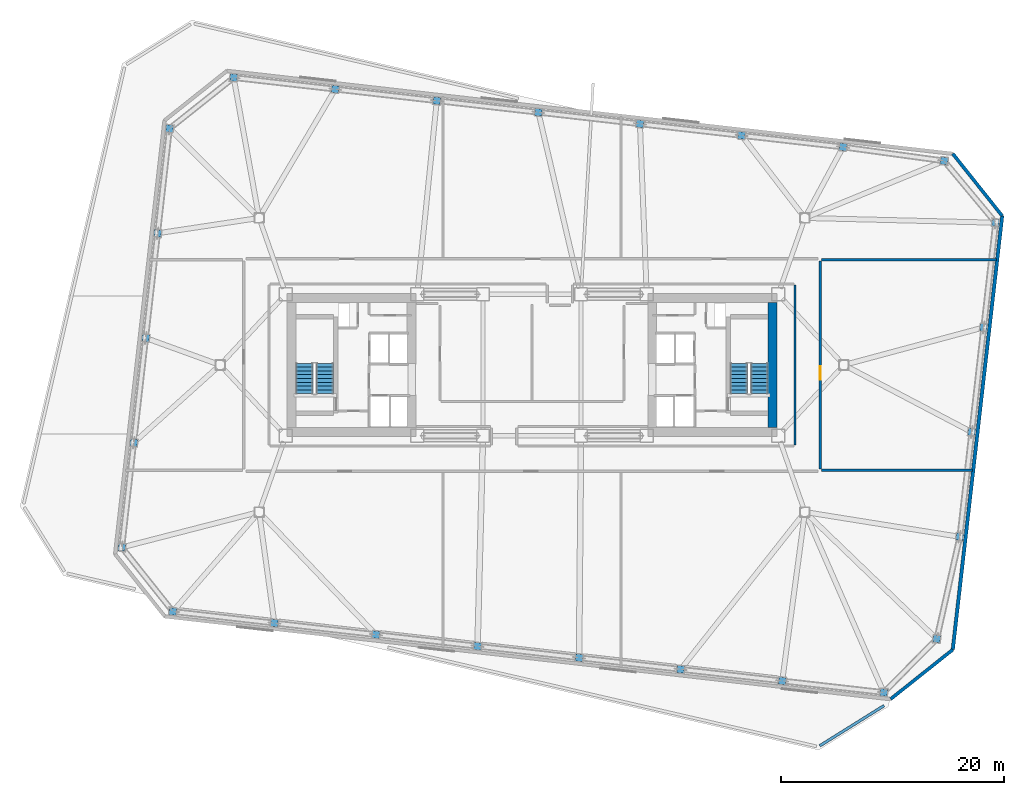
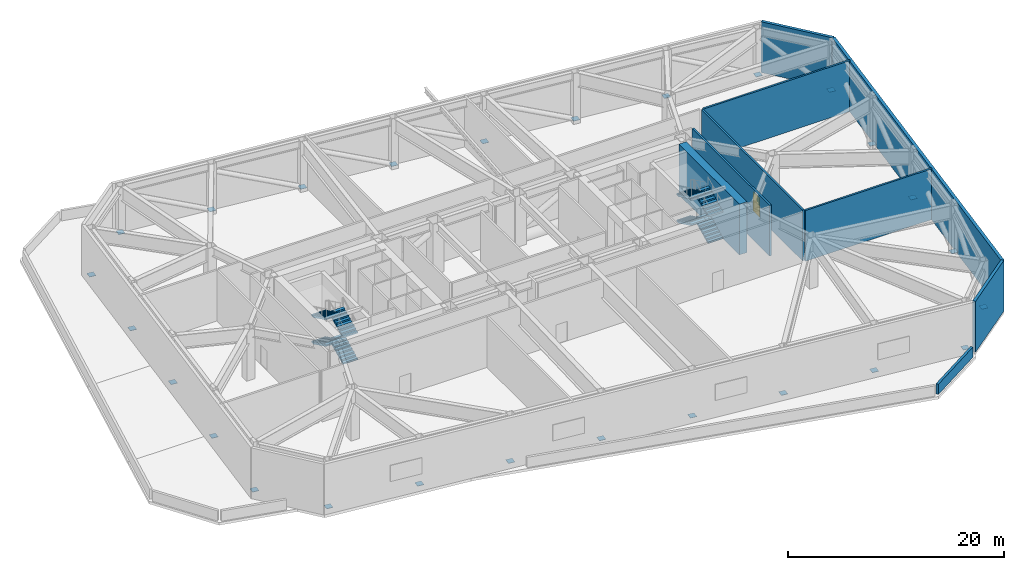
# One storey, part 7 of 14: 26 discrete accessories, 9 walls, 8 stair flights, 1 door, 1 opening, 2 elements without a shape of their own.
"""IFC4 building model written with IfcOpenShell, lengths in metres."""

from ifc_helpers import new_model, si_unit, direction, frame, frame_2d, origin, origin_2d, place, context, subcontext, project, spatial, polyline, rectangle, outline, extrude, material, layer, layer_set, type_object, element, fill, aggregate, save


model = new_model("IFC4")

# Units and contexts
model_context = context("Model", 3, precision=1e-05, world=origin(), true_north=direction((0.0, 1.0)))
body_context = subcontext(model_context, "Body", "Model", "MODEL_VIEW")
ifc_project = project(units=[si_unit("LENGTHUNIT", "METRE"), si_unit("AREAUNIT", "SQUARE_METRE"), si_unit("VOLUMEUNIT", "CUBIC_METRE"), si_unit("PLANEANGLEUNIT", "RADIAN"), si_unit("MASSUNIT", "GRAM", prefix="KILO")], contexts=[model_context])

# Site, building, storey
site_placement = place(None, origin())
site = spatial("IfcSite", under=ifc_project, at=site_placement, CompositionType="ELEMENT")
building_placement = place(site_placement, origin())
building = spatial("IfcBuilding", under=site, at=building_placement, Name="Tavrogorsk Clinical Tower", CompositionType="ELEMENT")
storey_placement = place(building_placement, frame((0.0, 0.0, 83.39990234375)))
storey = spatial("IfcBuildingStorey", under=building, at=storey_placement, Name="L18", CompositionType="ELEMENT", Elevation=83.39990234375)

# Wall, opening, door
ifc_material_1 = material(Name="Concrete B60", Category="concrete")
ifc_layer_1 = layer(ifc_material_1, 0.199951171875)
ifc_layer_set_1 = layer_set([ifc_layer_1], Name="Concrete B60")
wall_type_1 = type_object("IfcWallType", Name="CoreFireWall_200", PredefinedType="SOLIDWALL", material=ifc_layer_set_1)
wall_1_placement = place(storey_placement, frame((25.8798828125, 9.344970703125, 0.0), z_axis=(0.0, 0.0, 1.0), x_axis=(0.0, -1.0, 0.0)))
wall_1 = element("IfcWall", 1, at=wall_1_placement, inside=storey, type_object=wall_type_1, Name="L18 Refuge Corridor Fire Wall 03", PredefinedType="SOLIDWALL", context=body_context, shape_type="SweptSolid", body=[
    extrude(rectangle(XDim=18.68994140625, YDim=0.199951171875, at=frame_2d((9.344970703125, 0.0))), origin(), (0.0, 0.0, 1.0), 5.739990234375),
])
opening_placement = place(wall_1_placement, frame((9.449951171875, 0.0, 0.0)))
opening = element("IfcOpeningElement", 2, at=opening_placement, cuts=wall_1, Name="Opening FD-01", PredefinedType="OPENING", context=body_context, shape_type="SweptSolid", body=[
    extrude(rectangle(XDim=1.199951171875, YDim=2.199951171875, at=frame_2d((0.60009765625, 1.10009765625))), frame((0.0, 0.10986328125, 0.0), z_axis=(0.0, -1.0, 0.0), x_axis=(1.0, 0.0, 0.0)), (0.0, 0.0, 1.0), 0.219970703125),
])
ifc_material_2 = material(Name="Galvanised steel fire-rated door assembly", Category="steel")
door_type = type_object("IfcDoorType", Name="FireDoor_FD01_1200", OperationType="NOTDEFINED", PredefinedType="DOOR", material=ifc_material_2)
door_placement = place(opening_placement, origin())
door = element("IfcDoor", 3, at=door_placement, inside=storey, type_object=door_type, Name="L18 Smoke Extract & Damper Plenum East Fire Door", OperationType="SINGLE_SWING_RIGHT", OverallHeight=2.199951171875, OverallWidth=1.199951171875, PredefinedType="DOOR", context=body_context, shape_type="SweptSolid", body=[
    extrude(rectangle(XDim=1.199951171875, YDim=2.199951171875, at=frame_2d((0.60009765625, 1.10009765625))), frame((0.0, 0.02490234375, 0.0), z_axis=(0.0, -1.0, 0.0), x_axis=(1.0, 0.0, 0.0)), (0.0, 0.0, 1.0), 0.050048828125),
])
fill(opening, door)

# Walls
wall_2_placement = place(storey_placement, frame((23.6201171875, -7.1650390625, 0.0), z_axis=(0.0, 0.0, 1.0), x_axis=(0.0, 1.0, 0.0)))
element("IfcWall", 4, at=wall_2_placement, inside=storey, type_object=wall_type_1, Name="L18 Refuge Corridor Fire Wall 15", PredefinedType="SOLIDWALL", context=body_context, shape_type="SweptSolid", body=[
    extrude(rectangle(XDim=14.330078125, YDim=0.199951171875, at=frame_2d((7.1650390625, 0.0))), origin(), (0.0, 0.0, 1.0), 5.739990234375),
])
wall_3_placement = place(storey_placement, frame((25.985107421875, -9.449951171875, 0.0), z_axis=(0.0, 0.0, 1.0), x_axis=(1.0, 0.0, 0.0)))
element("IfcWall", 5, at=wall_3_placement, inside=storey, type_object=wall_type_1, Name="L18 Refuge & Plant Fire Wall 2", PredefinedType="SOLIDWALL", context=body_context, shape_type="SweptSolid", body=[
    extrude(rectangle(XDim=13.567626953125, YDim=0.199951171875, at=frame_2d((6.78369140625, 0.0))), origin(), (0.0, 0.0, 1.0), 5.739990234375),
])
wall_4_placement = place(storey_placement, frame((25.985107421875, 9.449951171875, 0.0), z_axis=(0.0, 0.0, 1.0), x_axis=(1.0, 0.0, 0.0)))
element("IfcWall", 6, at=wall_4_placement, inside=storey, type_object=wall_type_1, Name="L18 Refuge & Plant Fire Wall 4", PredefinedType="SOLIDWALL", context=body_context, shape_type="SweptSolid", body=[
    extrude(rectangle(XDim=15.72119140625, YDim=0.199951171875, at=frame_2d((7.860595703125, 0.0))), origin(), (0.0, 0.0, 1.0), 5.739990234375),
])
ifc_material_3 = material(Name="Precast concrete B45 acoustic plenum wall", Category="concrete")
ifc_layer_2 = layer(ifc_material_3, 0.320068359375)
ifc_layer_set_2 = layer_set([ifc_layer_2], Name="Precast concrete B45 acoustic plenum wall")
wall_type_2 = type_object("IfcWallType", Name="PlantLouvreWall_320", PredefinedType="STANDARD", material=ifc_layer_set_2)
wall_5_placement = place(storey_placement, frame((37.778076171875, -25.5576171875, 0.0), z_axis=(0.0, 0.0, 1.0), x_axis=(0.113201605824, 0.993572038877, 0.0)))
element("IfcWall", 7, at=wall_5_placement, inside=storey, type_object=wall_type_2, Name="L18 E Pleated Limestone Wing Wall", PredefinedType="STANDARD", context=body_context, shape_type="SweptSolid", body=[
    extrude(rectangle(XDim=39.199951171875, YDim=0.320068359375, at=frame_2d((19.60009765625, 0.0))), origin(), (0.0, 0.0, 1.0), 5.739990234375),
])
ifc_material_4 = material(Name="Concrete B60", Category="concrete")
ifc_layer_3 = layer(ifc_material_4, 0.25)
ifc_layer_set_3 = layer_set([ifc_layer_3], Name="Concrete B60")
wall_type_3 = type_object("IfcWallType", Name="RoofParapetWall_250", PredefinedType="PARAPET", material=ifc_layer_set_3)
wall_6_placement = place(storey_placement, frame((31.603515625, -30.583984375, 0.0), z_axis=(0.0, 0.0, 1.0), x_axis=(-0.848054758425, -0.529908602226, 0.0)))
element("IfcWall", 8, at=wall_6_placement, inside=storey, type_object=wall_type_3, Name="L18 Setback Coping Parapet 5", PredefinedType="PARAPET", context=body_context, shape_type="SweptSolid", body=[
    extrude(rectangle(XDim=6.802001953125, YDim=0.25, at=frame_2d((3.40087890625, 0.0))), origin(), (0.0, 0.0, 1.0), 1.150146484375),
])
ifc_material_5 = material(Name="Concrete B80", Category="concrete")
ifc_layer_4 = layer(ifc_material_5, 0.800048828125)
ifc_layer_set_4 = layer_set([ifc_layer_4], Name="Concrete B80")
wall_type_4 = type_object("IfcWallType", Name="ShearWall_800", PredefinedType="SHEAR", material=ifc_layer_set_4)
wall_7_placement = place(storey_placement, frame((21.60009765625, -5.60009765625, 0.0), z_axis=(0.0, 0.0, 1.0), x_axis=(0.0, 1.0, 0.0)))
element("IfcWall", 9, at=wall_7_placement, inside=storey, type_object=wall_type_4, Name="L18 Core East End Shear Wall", PredefinedType="SHEAR", context=body_context, shape_type="SweptSolid", body=[
    extrude(rectangle(XDim=11.2001953125, YDim=0.800048828125, at=frame_2d((5.60009765625, 0.0))), origin(), (0.0, 0.0, 1.0), 5.739990234375),
])
ifc_material_6 = material(Name="Precast concrete B45 with mineral wool", Category="concrete")
ifc_layer_5 = layer(ifc_material_6, 0.300048828125)
ifc_layer_set_5 = layer_set([ifc_layer_5], Name="Precast concrete B45 with mineral wool")
wall_type_5 = type_object("IfcWallType", Name="SpandrelBackWall_300", PredefinedType="STANDARD", material=ifc_layer_set_5)
for number, where, z_axis, x_axis, name in (
    (10, (32.199951171875, -29.99462890625, 0.0), (0.0, 0.0, 1.0), (0.782610156412, 0.622512122839, 0.0), "L18 Chamfered Corner Wall 1"),
    (11, (42.215576171875, 13.390380859375, 0.0), (0.0, 0.0, 1.0), (-0.622512122839, 0.782610156412, 0.0), "L18 Chamfered Corner Wall 2"),
):
    element("IfcWall", number, at=place(storey_placement, frame(where, z_axis=z_axis, x_axis=x_axis)), inside=storey, type_object=wall_type_5, Name=name, PredefinedType="STANDARD", context=body_context, shape_type="SweptSolid", body=[
        extrude(rectangle(XDim=7.127685546875, YDim=0.300048828125, at=frame_2d((3.56396484375, 0.0))), origin(), (0.0, 0.0, 1.0), 5.739990234375),
    ])

# Stair, stair flights
ifc_material_7 = material(Name="Concrete B60", Category="concrete")
stair_type = type_object("IfcStairType", Name="CoreStairAssembly", PredefinedType="HALF_TURN_STAIR", material=ifc_material_7)
stair_1_placement = place(storey_placement, origin())
stair_1 = element("IfcStair", 12, at=stair_1_placement, inside=storey, type_object=stair_type, Name="L18 ST-W", PredefinedType="HALF_TURN_STAIR")
ifc_material_8 = material(Name="Concrete B60", Category="concrete")
stair_flight_type = type_object("IfcStairFlightType", Name="CoreStairFlight", PredefinedType="STRAIGHT", material=ifc_material_8)
stair_flight_1_placement = place(storey_placement, frame((-18.574951171875, -2.574951171875, 0.0), z_axis=(0.0, 0.0, 1.0), x_axis=(0.0, 1.0, 0.0)))
stair_flight_1 = element("IfcStairFlight", 13, at=stair_flight_1_placement, type_object=stair_flight_type, Name="ST-W flight 1", NumberOfRisers=9, NumberOfTreads=8, PredefinedType="STRAIGHT", RiserHeight=0.166666667, TreadLength=0.34, context=body_context, shape_type="SweptSolid", body=[
    extrude(outline(polyline([(0.0, 0.0), (0.0, 0.166748046875), (0.340087890625, 0.166748046875), (0.340087890625, 0.333251953125), (0.679931640625, 0.333251953125), (0.679931640625, 0.5), (1.02001953125, 0.5), (1.02001953125, 0.666748046875), (1.360107421875, 0.666748046875), (1.360107421875, 0.833251953125), (1.699951171875, 0.833251953125), (1.699951171875, 1.0), (2.0400390625, 1.0), (2.0400390625, 1.166748046875), (2.3798828125, 1.166748046875), (2.3798828125, 1.333251953125), (2.719970703125, 1.333251953125), (2.719970703125, 1.5), (2.719970703125, 1.16650390625), (0.340576171875, 0.0), (0.0, 0.0)])), frame((0.0, 0.77490234375, 0.0), z_axis=(0.0, -1.0, 0.0), x_axis=(1.0, 0.0, 0.0)), (0.0, 0.0, 1.0), 1.550048828125),
])
stair_flight_2_placement = place(storey_placement, frame((-20.425048828125, 0.14501953125, 1.5), z_axis=(0.0, 0.0, 1.0), x_axis=(0.0, -1.0, 0.0)))
stair_flight_2 = element("IfcStairFlight", 14, at=stair_flight_2_placement, type_object=stair_flight_type, Name="ST-W flight 2", NumberOfRisers=9, NumberOfTreads=8, PredefinedType="STRAIGHT", RiserHeight=0.166666667, TreadLength=0.34, context=body_context, shape_type="SweptSolid", body=[
    extrude(outline(polyline([(0.0, 0.0), (0.0, 0.166748046875), (0.340087890625, 0.166748046875), (0.340087890625, 0.333251953125), (0.679931640625, 0.333251953125), (0.679931640625, 0.5), (1.02001953125, 0.5), (1.02001953125, 0.666748046875), (1.360107421875, 0.666748046875), (1.360107421875, 0.833251953125), (1.699951171875, 0.833251953125), (1.699951171875, 1.0), (2.0400390625, 1.0), (2.0400390625, 1.166748046875), (2.3798828125, 1.166748046875), (2.3798828125, 1.333251953125), (2.719970703125, 1.333251953125), (2.719970703125, 1.5), (2.719970703125, 1.16650390625), (0.340576171875, 0.0), (0.0, 0.0)])), frame((0.0, 0.77490234375, 0.0), z_axis=(0.0, -1.0, 0.0), x_axis=(1.0, 0.0, 0.0)), (0.0, 0.0, 1.0), 1.550048828125),
])
stair_flight_3_placement = place(storey_placement, frame((-18.574951171875, -2.574951171875, 3.0), z_axis=(0.0, 0.0, 1.0), x_axis=(0.0, 1.0, 0.0)))
stair_flight_3 = element("IfcStairFlight", 15, at=stair_flight_3_placement, type_object=stair_flight_type, Name="ST-W flight 3", NumberOfRisers=9, NumberOfTreads=8, PredefinedType="STRAIGHT", RiserHeight=0.166666667, TreadLength=0.34, context=body_context, shape_type="SweptSolid", body=[
    extrude(outline(polyline([(0.0, 0.0), (0.0, 0.166748046875), (0.340087890625, 0.166748046875), (0.340087890625, 0.333251953125), (0.679931640625, 0.333251953125), (0.679931640625, 0.5), (1.02001953125, 0.5), (1.02001953125, 0.666748046875), (1.360107421875, 0.666748046875), (1.360107421875, 0.833251953125), (1.699951171875, 0.833251953125), (1.699951171875, 1.0), (2.0400390625, 1.0), (2.0400390625, 1.166748046875), (2.3798828125, 1.166748046875), (2.3798828125, 1.333251953125), (2.719970703125, 1.333251953125), (2.719970703125, 1.5), (2.719970703125, 1.16650390625), (0.340576171875, 0.0), (0.0, 0.0)])), frame((0.0, 0.77490234375, 0.0), z_axis=(0.0, -1.0, 0.0), x_axis=(1.0, 0.0, 0.0)), (0.0, 0.0, 1.0), 1.550048828125),
])
stair_flight_4_placement = place(storey_placement, frame((-20.425048828125, 0.14501953125, 4.5), z_axis=(0.0, 0.0, 1.0), x_axis=(0.0, -1.0, 0.0)))
stair_flight_4 = element("IfcStairFlight", 16, at=stair_flight_4_placement, type_object=stair_flight_type, Name="ST-W flight 4", NumberOfRisers=9, NumberOfTreads=8, PredefinedType="STRAIGHT", RiserHeight=0.166666667, TreadLength=0.34, context=body_context, shape_type="SweptSolid", body=[
    extrude(outline(polyline([(0.0, 0.0), (0.0, 0.166748046875), (0.340087890625, 0.166748046875), (0.340087890625, 0.333251953125), (0.679931640625, 0.333251953125), (0.679931640625, 0.5), (1.02001953125, 0.5), (1.02001953125, 0.666748046875), (1.360107421875, 0.666748046875), (1.360107421875, 0.833251953125), (1.699951171875, 0.833251953125), (1.699951171875, 1.0), (2.0400390625, 1.0), (2.0400390625, 1.166748046875), (2.3798828125, 1.166748046875), (2.3798828125, 1.333251953125), (2.719970703125, 1.333251953125), (2.719970703125, 1.5), (2.719970703125, 1.16650390625), (0.340576171875, 0.0), (0.0, 0.0)])), frame((0.0, 0.77490234375, 0.0), z_axis=(0.0, -1.0, 0.0), x_axis=(1.0, 0.0, 0.0)), (0.0, 0.0, 1.0), 1.550048828125),
])
aggregate(stair_1, [stair_flight_1, stair_flight_2, stair_flight_3, stair_flight_4])

stair_2_placement = place(storey_placement, origin())
stair_2 = element("IfcStair", 17, at=stair_2_placement, inside=storey, type_object=stair_type, Name="L18 ST-E", PredefinedType="HALF_TURN_STAIR")
stair_flight_5_placement = place(storey_placement, frame((20.425048828125, -2.574951171875, 0.0), z_axis=(0.0, 0.0, 1.0), x_axis=(0.0, 1.0, 0.0)))
stair_flight_5 = element("IfcStairFlight", 18, at=stair_flight_5_placement, type_object=stair_flight_type, Name="ST-E flight 1", NumberOfRisers=9, NumberOfTreads=8, PredefinedType="STRAIGHT", RiserHeight=0.166666667, TreadLength=0.34, context=body_context, shape_type="SweptSolid", body=[
    extrude(outline(polyline([(0.0, 0.0), (0.0, 0.166748046875), (0.340087890625, 0.166748046875), (0.340087890625, 0.333251953125), (0.679931640625, 0.333251953125), (0.679931640625, 0.5), (1.02001953125, 0.5), (1.02001953125, 0.666748046875), (1.360107421875, 0.666748046875), (1.360107421875, 0.833251953125), (1.699951171875, 0.833251953125), (1.699951171875, 1.0), (2.0400390625, 1.0), (2.0400390625, 1.166748046875), (2.3798828125, 1.166748046875), (2.3798828125, 1.333251953125), (2.719970703125, 1.333251953125), (2.719970703125, 1.5), (2.719970703125, 1.16650390625), (0.340576171875, 0.0), (0.0, 0.0)])), frame((0.0, 0.77490234375, 0.0), z_axis=(0.0, -1.0, 0.0), x_axis=(1.0, 0.0, 0.0)), (0.0, 0.0, 1.0), 1.550048828125),
])
stair_flight_6_placement = place(storey_placement, frame((18.574951171875, 0.14501953125, 1.5), z_axis=(0.0, 0.0, 1.0), x_axis=(0.0, -1.0, 0.0)))
stair_flight_6 = element("IfcStairFlight", 19, at=stair_flight_6_placement, type_object=stair_flight_type, Name="ST-E flight 2", NumberOfRisers=9, NumberOfTreads=8, PredefinedType="STRAIGHT", RiserHeight=0.166666667, TreadLength=0.34, context=body_context, shape_type="SweptSolid", body=[
    extrude(outline(polyline([(0.0, 0.0), (0.0, 0.166748046875), (0.340087890625, 0.166748046875), (0.340087890625, 0.333251953125), (0.679931640625, 0.333251953125), (0.679931640625, 0.5), (1.02001953125, 0.5), (1.02001953125, 0.666748046875), (1.360107421875, 0.666748046875), (1.360107421875, 0.833251953125), (1.699951171875, 0.833251953125), (1.699951171875, 1.0), (2.0400390625, 1.0), (2.0400390625, 1.166748046875), (2.3798828125, 1.166748046875), (2.3798828125, 1.333251953125), (2.719970703125, 1.333251953125), (2.719970703125, 1.5), (2.719970703125, 1.16650390625), (0.340576171875, 0.0), (0.0, 0.0)])), frame((0.0, 0.77490234375, 0.0), z_axis=(0.0, -1.0, 0.0), x_axis=(1.0, 0.0, 0.0)), (0.0, 0.0, 1.0), 1.550048828125),
])
stair_flight_7_placement = place(storey_placement, frame((20.425048828125, -2.574951171875, 3.0), z_axis=(0.0, 0.0, 1.0), x_axis=(0.0, 1.0, 0.0)))
stair_flight_7 = element("IfcStairFlight", 20, at=stair_flight_7_placement, type_object=stair_flight_type, Name="ST-E flight 3", NumberOfRisers=9, NumberOfTreads=8, PredefinedType="STRAIGHT", RiserHeight=0.166666667, TreadLength=0.34, context=body_context, shape_type="SweptSolid", body=[
    extrude(outline(polyline([(0.0, 0.0), (0.0, 0.166748046875), (0.340087890625, 0.166748046875), (0.340087890625, 0.333251953125), (0.679931640625, 0.333251953125), (0.679931640625, 0.5), (1.02001953125, 0.5), (1.02001953125, 0.666748046875), (1.360107421875, 0.666748046875), (1.360107421875, 0.833251953125), (1.699951171875, 0.833251953125), (1.699951171875, 1.0), (2.0400390625, 1.0), (2.0400390625, 1.166748046875), (2.3798828125, 1.166748046875), (2.3798828125, 1.333251953125), (2.719970703125, 1.333251953125), (2.719970703125, 1.5), (2.719970703125, 1.16650390625), (0.340576171875, 0.0), (0.0, 0.0)])), frame((0.0, 0.77490234375, 0.0), z_axis=(0.0, -1.0, 0.0), x_axis=(1.0, 0.0, 0.0)), (0.0, 0.0, 1.0), 1.550048828125),
])
stair_flight_8_placement = place(storey_placement, frame((18.574951171875, 0.14501953125, 4.5), z_axis=(0.0, 0.0, 1.0), x_axis=(0.0, -1.0, 0.0)))
stair_flight_8 = element("IfcStairFlight", 21, at=stair_flight_8_placement, type_object=stair_flight_type, Name="ST-E flight 4", NumberOfRisers=9, NumberOfTreads=8, PredefinedType="STRAIGHT", RiserHeight=0.166666667, TreadLength=0.34, context=body_context, shape_type="SweptSolid", body=[
    extrude(outline(polyline([(0.0, 0.0), (0.0, 0.166748046875), (0.340087890625, 0.166748046875), (0.340087890625, 0.333251953125), (0.679931640625, 0.333251953125), (0.679931640625, 0.5), (1.02001953125, 0.5), (1.02001953125, 0.666748046875), (1.360107421875, 0.666748046875), (1.360107421875, 0.833251953125), (1.699951171875, 0.833251953125), (1.699951171875, 1.0), (2.0400390625, 1.0), (2.0400390625, 1.166748046875), (2.3798828125, 1.166748046875), (2.3798828125, 1.333251953125), (2.719970703125, 1.333251953125), (2.719970703125, 1.5), (2.719970703125, 1.16650390625), (0.340576171875, 0.0), (0.0, 0.0)])), frame((0.0, 0.77490234375, 0.0), z_axis=(0.0, -1.0, 0.0), x_axis=(1.0, 0.0, 0.0)), (0.0, 0.0, 1.0), 1.550048828125),
])
aggregate(stair_2, [stair_flight_5, stair_flight_6, stair_flight_7, stair_flight_8])

# Discrete accessories
ifc_material_9 = material(Name="Structural steel S440", Category="steel")
discrete_accessory_type = type_object("IfcDiscreteAccessoryType", Name="TrussEndCapBracket", PredefinedType="BRACKET", material=ifc_material_9)
for number, where, z_axis, x_axis, name in (
    (22, (-32.243896484375, -22.12890625, 0.330078125), (0.0, 0.0, 1.0), (0.993571855677, -0.113203213768, 0.0), "L18 Hollow Node End Cap S1"),
    (23, (-23.1259765625, -23.167724609375, 0.330078125), (0.0, 0.0, 1.0), (0.993571855677, -0.113203213768, 0.0), "L18 Hollow Node End Cap S2"),
    (24, (-14.0078125, -24.20654296875, 0.330078125), (0.0, 0.0, 1.0), (0.993571855677, -0.113203213768, 0.0), "L18 Hollow Node End Cap S3"),
    (25, (-4.8896484375, -25.24560546875, 0.330078125), (0.0, 0.0, 1.0), (0.993571855677, -0.113203213768, 0.0), "L18 Hollow Node End Cap S4"),
    (26, (4.228515625, -26.284423828125, 0.330078125), (0.0, 0.0, 1.0), (0.993571855677, -0.113203213768, 0.0), "L18 Hollow Node End Cap S5"),
    (27, (13.3466796875, -27.3232421875, 0.330078125), (0.0, 0.0, 1.0), (0.993571855677, -0.113203213768, 0.0), "L18 Hollow Node End Cap S6"),
    (28, (22.465087890625, -28.3623046875, 0.330078125), (0.0, 0.0, 1.0), (0.993571855677, -0.113203213768, 0.0), "L18 Hollow Node End Cap S7"),
    (29, (31.5830078125, -29.40087890625, 0.330078125), (0.0, 0.0, 1.0), (0.993571855677, -0.113203213768, 0.0), "L18 Hollow Node End Cap S8"),
    (30, (36.335693359375, -24.591796875, 0.330078125), (0.0, 0.0, 1.0), (0.993571855677, -0.113203213768, 0.0), "L18 Hollow Node End Cap E1"),
    (31, (38.4091796875, -15.423828125, 0.330078125), (0.0, 0.0, 1.0), (0.993571855677, -0.113203213768, 0.0), "L18 Hollow Node End Cap E2"),
    (32, (39.47998046875, -6.024658203125, 0.330078125), (0.0, 0.0, 1.0), (0.993571855677, -0.113203213768, 0.0), "L18 Hollow Node End Cap E3"),
    (33, (40.551025390625, 3.37451171875, 0.330078125), (0.0, 0.0, 1.0), (0.993571855677, -0.113203213768, 0.0), "L18 Hollow Node End Cap E4"),
    (34, (41.621826171875, 12.773681640625, 0.330078125), (0.0, 0.0, 1.0), (0.993571855677, -0.113203213768, 0.0), "L18 Hollow Node End Cap E5"),
    (35, (36.99658203125, 18.323486328125, 0.330078125), (0.0, 0.0, 1.0), (0.993571855677, -0.113203213768, 0.0), "L18 Hollow Node End Cap N1"),
    (36, (27.92578125, 19.567626953125, 0.330078125), (0.0, 0.0, 1.0), (0.993571855677, -0.113203213768, 0.0), "L18 Hollow Node End Cap N2"),
    (37, (18.8076171875, 20.606689453125, 0.330078125), (0.0, 0.0, 1.0), (0.993571855677, -0.113203213768, 0.0), "L18 Hollow Node End Cap N3"),
    (38, (9.689697265625, 21.6455078125, 0.330078125), (0.0, 0.0, 1.0), (0.993571855677, -0.113203213768, 0.0), "L18 Hollow Node End Cap N4"),
    (39, (0.5712890625, 22.684326171875, 0.330078125), (0.0, 0.0, 1.0), (0.993571855677, -0.113203213768, 0.0), "L18 Hollow Node End Cap N5"),
    (40, (-8.546875, 23.723388671875, 0.330078125), (0.0, 0.0, 1.0), (0.993571855677, -0.113203213768, 0.0), "L18 Hollow Node End Cap N6"),
    (41, (-17.6650390625, 24.76220703125, 0.330078125), (0.0, 0.0, 1.0), (0.993571855677, -0.113203213768, 0.0), "L18 Hollow Node End Cap N7"),
    (42, (-26.783203125, 25.801025390625, 0.330078125), (0.0, 0.0, 1.0), (0.993571855677, -0.113203213768, 0.0), "L18 Hollow Node End Cap N8"),
    (43, (-32.538330078125, 21.22314453125, 0.330078125), (0.0, 0.0, 1.0), (0.993571855677, -0.113203213768, 0.0), "L18 Hollow Node End Cap W1"),
    (44, (-33.609130859375, 11.823974609375, 0.330078125), (0.0, 0.0, 1.0), (0.993571855677, -0.113203213768, 0.0), "L18 Hollow Node End Cap W2"),
    (45, (-34.68017578125, 2.4248046875, 0.330078125), (0.0, 0.0, 1.0), (0.993571855677, -0.113203213768, 0.0), "L18 Hollow Node End Cap W3"),
    (46, (-35.7509765625, -6.974365234375, 0.330078125), (0.0, 0.0, 1.0), (0.993571855677, -0.113203213768, 0.0), "L18 Hollow Node End Cap W4"),
    (47, (-36.822021484375, -16.37353515625, 0.330078125), (0.0, 0.0, 1.0), (0.993571855677, -0.113203213768, 0.0), "L18 Hollow Node End Cap W5"),
):
    element("IfcDiscreteAccessory", number, at=place(storey_placement, frame(where, z_axis=z_axis, x_axis=x_axis)), inside=storey, type_object=discrete_accessory_type, Name=name, PredefinedType="BRACKET", context=body_context, shape_type="SweptSolid", body=[
        extrude(rectangle(XDim=0.64990234375, YDim=0.64990234375, at=origin_2d()), origin(), (0.0, 0.0, 1.0), 0.0400390625),
    ])

save(model, "model.ifc")
